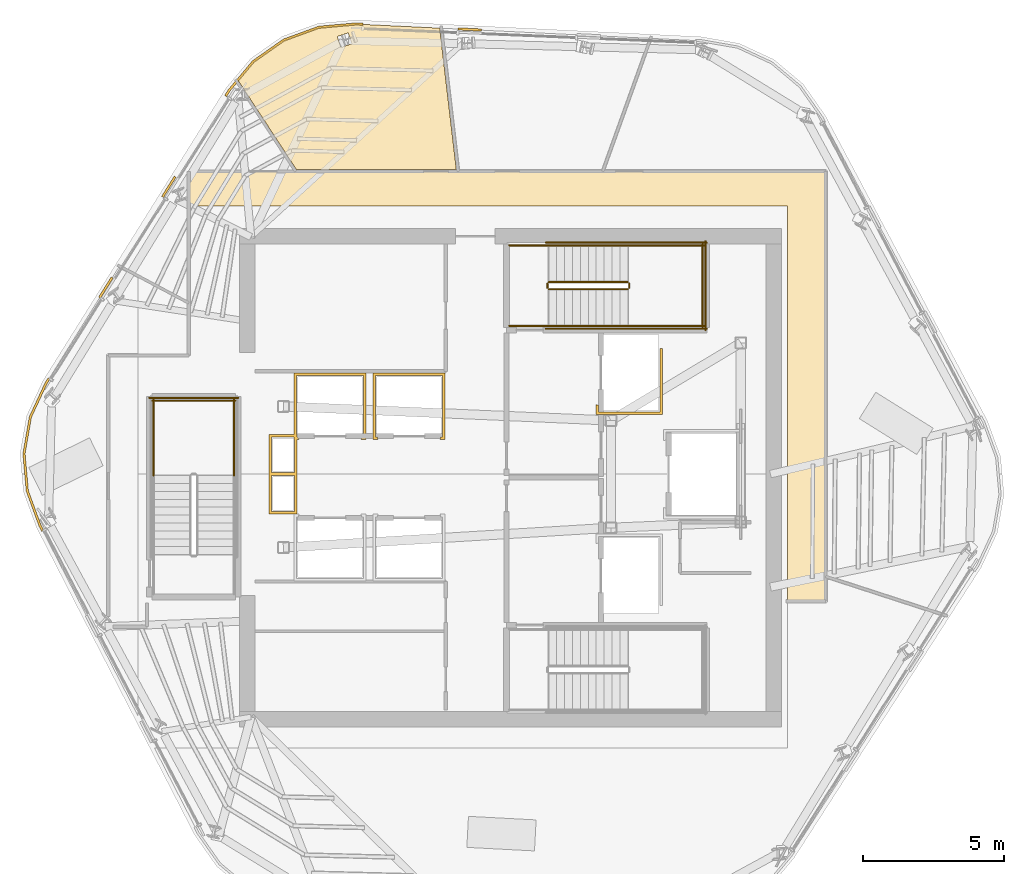
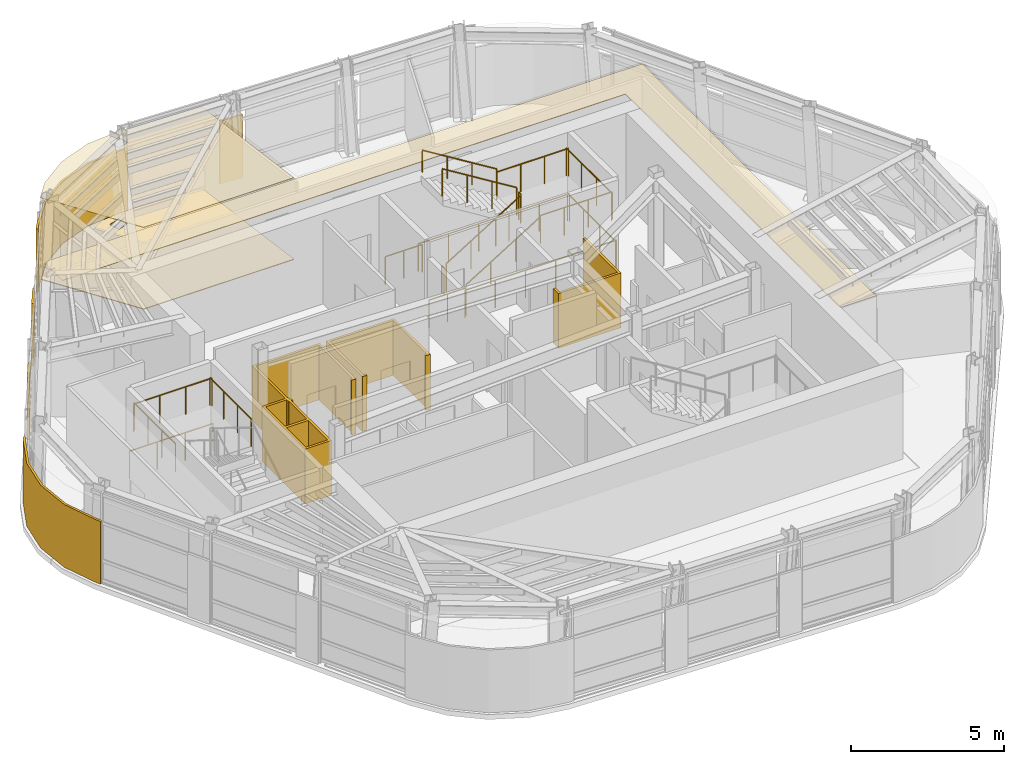
# One storey, part 11 of 13: 18 railings, 11 coverings.
"""IFC4 building model written with IfcOpenShell, lengths in metres."""

from ifc_helpers import new_model, si_unit, direction, frame, origin, origin_2d, place, context, subcontext, project, spatial, polyline, circle, outline, extrude, material, layer, layer_set, type_object, element, save


model = new_model("IFC4")

# Units and contexts
model_context = context("Model", 3, precision=1e-05, world=origin(), true_north=direction((0.0, 1.0)))
body_context = subcontext(model_context, "Body", "Model", "MODEL_VIEW")
ifc_project = project(units=[si_unit("LENGTHUNIT", "METRE"), si_unit("AREAUNIT", "SQUARE_METRE"), si_unit("VOLUMEUNIT", "CUBIC_METRE"), si_unit("PLANEANGLEUNIT", "RADIAN"), si_unit("MASSUNIT", "GRAM", prefix="KILO")], contexts=[model_context])

# Site, building, storey
site_placement = place(None, origin())
site = spatial("IfcSite", under=ifc_project, at=site_placement, CompositionType="ELEMENT")
building_placement = place(site_placement, origin())
building = spatial("IfcBuilding", under=site, at=building_placement, Name="Valkerne Bourse Tower", CompositionType="ELEMENT")
storey_placement = place(building_placement, frame((0.0, 0.0, 273.60009765625)))
storey = spatial("IfcBuildingStorey", under=building, at=storey_placement, Name="L69", CompositionType="ELEMENT", Elevation=273.60009765625)

# Coverings
ifc_material_1 = material(Name="Mineral Fiber Acoustic Ceiling Tile", Category="acoustic")
ifc_layer_1 = layer(ifc_material_1, 0.02490234375)
ifc_layer_set_1 = layer_set([ifc_layer_1], Name="Mineral Fiber Acoustic Ceiling Tile")
covering_type_1 = type_object("IfcCoveringType", Name="COV-CEIL-ACT", PredefinedType="CEILING", material=ifc_layer_set_1)
covering_1_placement = place(storey_placement, frame((0.0, 0.0, 3.25)))
element("IfcCovering", 1, at=covering_1_placement, inside=storey, type_object=covering_type_1, Name="L69 Suspended Ceiling 04", PredefinedType="CEILING", context=body_context, shape_type="SweptSolid", body=[
    extrude(outline(polyline([(40.00390625, 42.823486328125), (41.327392578125, 42.941650390625), (44.28466796875, 42.798095703125), (44.873291015625, 37.7890625), (39.21044921875, 37.7890625), (37.1376953125, 40.956298828125), (37.685302734375, 41.611083984375), (38.764892578125, 42.3701171875), (40.00390625, 42.823486328125)]), holes=[polyline([(41.173583984375, 42.2412109375), (41.045654296875, 42.6298828125), (40.66015625, 42.5029296875), (40.657958984375, 42.502197265625), (40.785888671875, 42.11328125), (41.17138671875, 42.240234375), (41.173583984375, 42.2412109375)])]), origin(), (0.0, 0.0, 1.0), 0.02490234375),
])
ifc_material_2 = material(Name="Bronze Anodised Aluminium AA 6063-T6", Category="aluminium")
ifc_layer_2 = layer(ifc_material_2, 0.030029296875)
ifc_layer_set_2 = layer_set([ifc_layer_2], Name="Bronze Anodised Aluminium AA 6063-T6")
covering_type_2 = type_object("IfcCoveringType", Name="COV-CEIL-METAL", PredefinedType="CEILING", material=ifc_layer_set_2)
covering_2_placement = place(storey_placement, frame((0.0, 0.0, 3.25)))
element("IfcCovering", 2, at=covering_2_placement, inside=storey, type_object=covering_type_2, Name="L69 Suspended Ceiling 01", PredefinedType="CEILING", context=body_context, shape_type="SweptSolid", body=[
    extrude(outline(polyline([(35.404052734375, 37.716064453125), (57.946044921875, 37.716064453125), (57.946044921875, 22.50390625), (56.60009765625, 22.50390625), (56.60009765625, 36.5), (35.404052734375, 36.5), (35.404052734375, 37.716064453125)])), origin(), (0.0, 0.0, 1.0), 0.02490234375),
])
ifc_layer_3 = layer(ifc_material_2, 0.06005859375)
ifc_layer_set_3 = layer_set([ifc_layer_3], Name="Bronze Anodised Aluminium AA 6063-T6")
covering_type_3 = type_object("IfcCoveringType", Name="COV-CRN-ALUM", PredefinedType="CLADDING", material=ifc_layer_set_3)
covering_3_placement = place(storey_placement, origin())
element("IfcCovering", 3, at=covering_3_placement, inside=storey, type_object=covering_type_3, Name="L69 Wind-Shaped Corner Aluminium Cladding 10", PredefinedType="CLADDING", context=body_context, shape_type="SweptSolid", body=[
    extrude(outline(polyline([(30.0986328125, 25.141845703125), (29.638916015625, 26.3984375), (29.5205078125, 27.724365234375), (29.749267578125, 29.035400390625), (30.312744140625, 30.249267578125), (30.4150390625, 30.412841796875), (30.482421875, 30.369873046875), (30.38330078125, 30.211181640625), (29.826416015625, 29.011474609375), (29.60107421875, 27.720947265625), (29.717529296875, 26.416015625), (30.172119140625, 25.174072265625), (30.2578125, 25.00732421875), (30.18701171875, 24.97021484375), (30.0986328125, 25.141845703125)])), origin(), (0.0, 0.0, 1.0), 2.5),
])
covering_4_placement = place(storey_placement, origin())
element("IfcCovering", 4, at=covering_4_placement, inside=storey, type_object=covering_type_3, Name="L69 Wind-Shaped Corner Aluminium Cladding 11", PredefinedType="CLADDING", context=body_context, shape_type="SweptSolid", body=[
    extrude(outline(polyline([(32.6484375, 33.98388671875), (32.7158203125, 33.941162109375), (32.2705078125, 33.22900390625), (32.202880859375, 33.271728515625), (32.6484375, 33.98388671875)])), origin(), (0.0, 0.0, 1.0), 2.5),
])
covering_5_placement = place(storey_placement, origin())
element("IfcCovering", 5, at=covering_5_placement, inside=storey, type_object=covering_type_3, Name="L69 Wind-Shaped Corner Aluminium Cladding 12", PredefinedType="CLADDING", context=body_context, shape_type="SweptSolid", body=[
    extrude(outline(polyline([(34.8818359375, 37.55517578125), (34.949462890625, 37.51220703125), (34.50390625, 36.800048828125), (34.436279296875, 36.843017578125), (34.8818359375, 37.55517578125)])), origin(), (0.0, 0.0, 1.0), 2.5),
])
covering_6_placement = place(storey_placement, origin())
element("IfcCovering", 6, at=covering_6_placement, inside=storey, type_object=covering_type_3, Name="L69 Wind-Shaped Corner Aluminium Cladding 13", PredefinedType="CLADDING", context=body_context, shape_type="SweptSolid", body=[
    extrude(outline(polyline([(36.797119140625, 40.617919921875), (37.6552734375, 41.643798828125), (38.744140625, 42.4091796875), (39.994384765625, 42.86669921875), (41.326416015625, 42.985595703125), (41.56640625, 42.97412109375), (41.56298828125, 42.89404296875), (41.328125, 42.905517578125), (40.011962890625, 42.7880859375), (38.781494140625, 42.337890625), (37.709716796875, 41.58447265625), (36.862060546875, 40.57080078125), (36.737548828125, 40.371337890625), (36.669921875, 40.414306640625), (36.797119140625, 40.617919921875)])), origin(), (0.0, 0.0, 1.0), 2.5),
])
covering_7_placement = place(storey_placement, origin())
element("IfcCovering", 7, at=covering_7_placement, inside=storey, type_object=covering_type_3, Name="L69 Wind-Shaped Corner Aluminium Cladding 14", PredefinedType="CLADDING", context=body_context, shape_type="SweptSolid", body=[
    extrude(outline(polyline([(45.7734375, 42.77001953125), (45.770263671875, 42.68994140625), (44.93115234375, 42.730712890625), (44.934326171875, 42.810546875), (45.7734375, 42.77001953125)])), origin(), (0.0, 0.0, 1.0), 2.5),
])
ifc_material_3 = material(Name="Polished Granite Stone", Category="masonry")
ifc_layer_4 = layer(ifc_material_3, 0.030029296875)
ifc_layer_set_4 = layer_set([ifc_layer_4], Name="Polished Granite Stone")
covering_type_4 = type_object("IfcCoveringType", Name="COV-FLR-TERRAZZO", PredefinedType="FLOORING", material=ifc_layer_set_4)
covering_8_placement = place(storey_placement, origin())
element("IfcCovering", 8, at=covering_8_placement, inside=storey, type_object=covering_type_4, Name="L69 Floor Finish 04", PredefinedType="FLOORING", context=body_context, shape_type="SweptSolid", body=[
    extrude(outline(polyline([(40.00390625, 42.823486328125), (41.327392578125, 42.941650390625), (44.28466796875, 42.798095703125), (44.873291015625, 37.7890625), (39.21044921875, 37.7890625), (37.1376953125, 40.956298828125), (37.685302734375, 41.611083984375), (38.764892578125, 42.3701171875), (40.00390625, 42.823486328125)]), holes=[polyline([(41.173583984375, 42.2412109375), (41.045654296875, 42.6298828125), (40.66015625, 42.5029296875), (40.657958984375, 42.502197265625), (40.785888671875, 42.11328125), (41.17138671875, 42.240234375), (41.173583984375, 42.2412109375)])]), origin(), (0.0, 0.0, 1.0), 0.02978515625),
])
ifc_material_4 = material(Name="Gypsum Shaftwall Liner Board", Category="gypsum")
ifc_layer_5 = layer(ifc_material_4, 0.080078125)
ifc_layer_set_5 = layer_set([ifc_layer_5], Name="Gypsum Shaftwall Liner Board")
covering_type_5 = type_object("IfcCoveringType", Name="COV-SHF-CLAD", PredefinedType="CLADDING", material=ifc_layer_set_5)
covering_9_placement = place(storey_placement, origin())
element("IfcCovering", 9, at=covering_9_placement, inside=storey, type_object=covering_type_5, Name="L69 Hoistway & Riser Shaftwall Liner 04", PredefinedType="CLADDING", context=body_context, shape_type="SweptSolid", body=[
    extrude(outline(polyline([(38.239990234375, 27.0400390625), (38.239990234375, 28.409912109375), (39.1201171875, 28.409912109375), (39.1201171875, 30.580078125), (41.679931640625, 30.580078125), (41.679931640625, 28.219970703125), (41.500732421875, 28.219970703125), (41.511474609375, 28.26220703125), (41.517822265625, 28.305908203125), (41.51806640625, 28.31005859375), (41.590087890625, 28.31005859375), (41.590087890625, 30.489990234375), (39.2099609375, 30.489990234375), (39.2099609375, 28.409912109375), (39.239990234375, 28.409912109375), (39.239990234375, 28.31005859375), (39.281982421875, 28.31005859375), (39.2822265625, 28.305908203125), (39.28857421875, 28.26220703125), (39.29931640625, 28.219970703125), (39.239990234375, 28.219970703125), (39.239990234375, 27.0400390625), (39.239990234375, 26.9599609375), (39.239990234375, 25.590087890625), (38.239990234375, 25.590087890625), (38.239990234375, 26.9599609375), (38.239990234375, 27.0400390625)]), holes=[polyline([(39.14990234375, 26.949951171875), (38.330078125, 26.949951171875), (38.330078125, 25.679931640625), (39.14990234375, 25.679931640625), (39.14990234375, 26.949951171875)]), polyline([(39.14990234375, 28.219970703125), (39.1201171875, 28.219970703125), (39.1201171875, 28.320068359375), (38.330078125, 28.320068359375), (38.330078125, 27.050048828125), (39.14990234375, 27.050048828125), (39.14990234375, 28.219970703125)])]), origin(), (0.0, 0.0, 1.0), 2.179931640625),
])
covering_10_placement = place(storey_placement, origin())
element("IfcCovering", 10, at=covering_10_placement, inside=storey, type_object=covering_type_5, Name="L69 Hoistway & Riser Shaftwall Liner 06", PredefinedType="CLADDING", context=body_context, shape_type="SweptSolid", body=[
    extrude(outline(polyline([(44.47998046875, 28.219970703125), (44.30078125, 28.219970703125), (44.311279296875, 28.26220703125), (44.31787109375, 28.305908203125), (44.318115234375, 28.31005859375), (44.389892578125, 28.31005859375), (44.389892578125, 30.489990234375), (42.010009765625, 30.489990234375), (42.010009765625, 28.31005859375), (42.08203125, 28.31005859375), (42.082275390625, 28.305908203125), (42.088623046875, 28.26220703125), (42.09912109375, 28.219970703125), (41.919921875, 28.219970703125), (41.919921875, 30.580078125), (44.47998046875, 30.580078125), (44.47998046875, 28.219970703125)])), origin(), (0.0, 0.0, 1.0), 2.179931640625),
])
covering_11_placement = place(storey_placement, origin())
element("IfcCovering", 11, at=covering_11_placement, inside=storey, type_object=covering_type_5, Name="L69 Hoistway & Riser Shaftwall Liner 07", PredefinedType="CLADDING", context=body_context, shape_type="SweptSolid", body=[
    extrude(outline(polyline([(49.820068359375, 29.1201171875), (49.820068359375, 29.468017578125), (49.827880859375, 29.46435546875), (49.869384765625, 29.449462890625), (49.909912109375, 29.439208984375), (49.909912109375, 29.2099609375), (52.090087890625, 29.2099609375), (52.090087890625, 31.449951171875), (52.179931640625, 31.449951171875), (52.179931640625, 29.1201171875), (49.820068359375, 29.1201171875)])), origin(), (0.0, 0.0, 1.0), 2.179931640625),
])

# Railings
ifc_material_5 = material(Name="Galvanised Painted Steel", Category="steel")
railing_type_1 = type_object("IfcRailingType", Name="RLG-ST-GUARD-1120", PredefinedType="GUARDRAIL", material=ifc_material_5)
railing_1_placement = place(storey_placement, frame((48.14990234375, 33.550048828125, 0.172607421875)))
element("IfcRailing", 12, at=railing_1_placement, inside=storey, type_object=railing_type_1, Name="L69 ST-2 stair guard 1", PredefinedType="GUARDRAIL", context=body_context, shape_type="SweptSolid", body=[
    extrude(circle(Radius=0.02392578125, at=origin_2d()), frame((0.0, 0.0, 1.09619140625), z_axis=(0.851089632645, 0.0, 0.525020415988), x_axis=(0.0, 1.0, 0.0)), (0.0, 0.0, 1.0), 3.2900390625),
    extrude(circle(Radius=0.02099609375, at=origin_2d()), origin(), (0.0, 0.0, 1.0), 1.072021484375),
    extrude(circle(Radius=0.02099609375, at=origin_2d()), frame((0.933349609375, 0.0, 0.57568359375)), (0.0, 0.0, 1.0), 1.072021484375),
    extrude(circle(Radius=0.02099609375, at=origin_2d()), frame((1.86669921875, 0.0, 1.151611328125)), (0.0, 0.0, 1.0), 1.072021484375),
    extrude(circle(Radius=0.02099609375, at=origin_2d()), frame((2.800048828125, 0.0, 1.727294921875)), (0.0, 0.0, 1.0), 1.072021484375),
])
railing_2_placement = place(storey_placement, frame((51.0, 33.60009765625, 1.89990234375)))
element("IfcRailing", 13, at=railing_2_placement, inside=storey, type_object=railing_type_1, Name="L69 ST-2 stair guard 2", PredefinedType="GUARDRAIL", context=body_context, shape_type="SweptSolid", body=[
    extrude(circle(Radius=0.02392578125, at=origin_2d()), frame((0.0, 0.0, 1.09619140625), z_axis=(0.0, 1.0, 0.0), x_axis=(-1.0, 0.0, 0.0)), (0.0, 0.0, 1.0), 0.14990234375),
    extrude(circle(Radius=0.02099609375, at=origin_2d()), origin(), (0.0, 0.0, 1.0), 1.072021484375),
    extrude(circle(Radius=0.02099609375, at=origin_2d()), frame((0.0, 0.14990234375, 0.0)), (0.0, 0.0, 1.0), 1.072021484375),
])
for number, where, name in (
    (14, (50.949951171875, 32.25, 1.89990234375), "L69 ST-2 stair guard 3"),
    (15, (50.949951171875, 35.10009765625, 1.89990234375), "L69 ST-2 stair guard 4"),
):
    element("IfcRailing", number, at=place(storey_placement, frame(where)), inside=storey, type_object=railing_type_1, Name=name, PredefinedType="GUARDRAIL", context=body_context, shape_type="SweptSolid", body=[
        extrude(circle(Radius=0.02392578125, at=origin_2d()), frame((0.0, 0.0, 1.09619140625), z_axis=(1.0, 0.0, 0.0), x_axis=(0.0, 1.0, 0.0)), (0.0, 0.0, 1.0), 2.699951171875),
        extrude(circle(Radius=0.02099609375, at=origin_2d()), origin(), (0.0, 0.0, 1.0), 1.072021484375),
        extrude(circle(Radius=0.02099609375, at=origin_2d()), frame((0.89990234375, 0.0, 0.0)), (0.0, 0.0, 1.0), 1.072021484375),
        extrude(circle(Radius=0.02099609375, at=origin_2d()), frame((1.800048828125, 0.0, 0.0)), (0.0, 0.0, 1.0), 1.072021484375),
        extrude(circle(Radius=0.02099609375, at=origin_2d()), frame((2.699951171875, 0.0, 0.0)), (0.0, 0.0, 1.0), 1.072021484375),
    ])
railing_3_placement = place(storey_placement, frame((53.60009765625, 32.199951171875, 1.89990234375)))
element("IfcRailing", 16, at=railing_3_placement, inside=storey, type_object=railing_type_1, Name="L69 ST-2 stair guard 5", PredefinedType="GUARDRAIL", context=body_context, shape_type="SweptSolid", body=[
    extrude(circle(Radius=0.02392578125, at=origin_2d()), frame((0.0, 0.0, 1.09619140625), z_axis=(0.0, 1.0, 0.0), x_axis=(-1.0, 0.0, 0.0)), (0.0, 0.0, 1.0), 2.949951171875),
    extrude(circle(Radius=0.02099609375, at=origin_2d()), origin(), (0.0, 0.0, 1.0), 1.072021484375),
    extrude(circle(Radius=0.02099609375, at=origin_2d()), frame((0.0, 0.9833984375, 0.0)), (0.0, 0.0, 1.0), 1.072021484375),
    extrude(circle(Radius=0.02099609375, at=origin_2d()), frame((0.0, 1.966552734375, 0.0)), (0.0, 0.0, 1.0), 1.072021484375),
    extrude(circle(Radius=0.02099609375, at=origin_2d()), frame((0.0, 2.949951171875, 0.0)), (0.0, 0.0, 1.0), 1.072021484375),
])
railing_4_placement = place(storey_placement, frame((50.949951171875, 33.800048828125, 2.072509765625)))
element("IfcRailing", 17, at=railing_4_placement, inside=storey, type_object=railing_type_1, Name="L69 ST-2 stair guard 6", PredefinedType="GUARDRAIL", context=body_context, shape_type="SweptSolid", body=[
    extrude(circle(Radius=0.02392578125, at=origin_2d()), frame((0.0, 0.0, 1.09619140625), z_axis=(-0.851089632645, 0.0, 0.525020415988), x_axis=(0.0, -1.0, 0.0)), (0.0, 0.0, 1.0), 3.2900390625),
    extrude(circle(Radius=0.02099609375, at=origin_2d()), origin(), (0.0, 0.0, 1.0), 1.072021484375),
    extrude(circle(Radius=0.02099609375, at=origin_2d()), frame((-0.933349609375, 0.0, 0.57568359375)), (0.0, 0.0, 1.0), 1.072021484375),
    extrude(circle(Radius=0.02099609375, at=origin_2d()), frame((-1.86669921875, 0.0, 1.151611328125)), (0.0, 0.0, 1.0), 1.072021484375),
    extrude(circle(Radius=0.02099609375, at=origin_2d()), frame((-2.800048828125, 0.0, 1.727294921875)), (0.0, 0.0, 1.0), 1.072021484375),
])
railing_5_placement = place(storey_placement, frame((48.10009765625, 33.60009765625, 0.0)))
element("IfcRailing", 18, at=railing_5_placement, inside=storey, type_object=railing_type_1, Name="L69 ST-2 stair guard 7", PredefinedType="GUARDRAIL", context=body_context, shape_type="SweptSolid", body=[
    extrude(circle(Radius=0.02392578125, at=origin_2d()), frame((0.0, 0.0, 1.09619140625), z_axis=(0.0, 1.0, 0.0), x_axis=(-1.0, 0.0, 0.0)), (0.0, 0.0, 1.0), 0.14990234375),
    extrude(circle(Radius=0.02099609375, at=origin_2d()), origin(), (0.0, 0.0, 1.0), 1.072021484375),
    extrude(circle(Radius=0.02099609375, at=origin_2d()), frame((0.0, 0.14990234375, 0.0)), (0.0, 0.0, 1.0), 1.072021484375),
])
for number, where, name in (
    (19, (46.75, 32.25, 0.0), "L69 ST-2 stair guard 8"),
    (20, (46.75, 35.10009765625, 0.0), "L69 ST-2 stair guard 9"),
):
    element("IfcRailing", number, at=place(storey_placement, frame(where)), inside=storey, type_object=railing_type_1, Name=name, PredefinedType="GUARDRAIL", context=body_context, shape_type="SweptSolid", body=[
        extrude(circle(Radius=0.02392578125, at=origin_2d()), frame((0.0, 0.0, 1.09619140625), z_axis=(1.0, 0.0, 0.0), x_axis=(0.0, 1.0, 0.0)), (0.0, 0.0, 1.0), 1.39990234375),
        extrude(circle(Radius=0.02099609375, at=origin_2d()), origin(), (0.0, 0.0, 1.0), 1.072021484375),
        extrude(circle(Radius=0.02099609375, at=origin_2d()), frame((0.699951171875, 0.0, 0.0)), (0.0, 0.0, 1.0), 1.072021484375),
        extrude(circle(Radius=0.02099609375, at=origin_2d()), frame((1.39990234375, 0.0, 0.0)), (0.0, 0.0, 1.0), 1.072021484375),
    ])
for number, where, name in (
    (21, (48.050048828125, 32.14990234375, 0.0), "L69 ST-2 stair guard 10"),
    (22, (48.050048828125, 35.199951171875, 0.0), "L69 ST-2 stair guard 11"),
):
    element("IfcRailing", number, at=place(storey_placement, frame(where)), inside=storey, type_object=railing_type_1, Name=name, PredefinedType="GUARDRAIL", context=body_context, shape_type="SweptSolid", body=[
        extrude(circle(Radius=0.02392578125, at=origin_2d()), frame((0.0, 0.0, 1.09619140625), z_axis=(1.0, 0.0, 0.0), x_axis=(0.0, 1.0, 0.0)), (0.0, 0.0, 1.0), 5.699951171875),
        extrude(circle(Radius=0.02099609375, at=origin_2d()), origin(), (0.0, 0.0, 1.0), 1.072021484375),
        extrude(circle(Radius=0.02099609375, at=origin_2d()), frame((1.139892578125, 0.0, 0.0)), (0.0, 0.0, 1.0), 1.072021484375),
        extrude(circle(Radius=0.02099609375, at=origin_2d()), frame((2.280029296875, 0.0, 0.0)), (0.0, 0.0, 1.0), 1.072021484375),
        extrude(circle(Radius=0.02099609375, at=origin_2d()), frame((3.419921875, 0.0, 0.0)), (0.0, 0.0, 1.0), 1.072021484375),
        extrude(circle(Radius=0.02099609375, at=origin_2d()), frame((4.56005859375, 0.0, 0.0)), (0.0, 0.0, 1.0), 1.072021484375),
        extrude(circle(Radius=0.02099609375, at=origin_2d()), frame((5.699951171875, 0.0, 0.0)), (0.0, 0.0, 1.0), 1.072021484375),
    ])
railing_6_placement = place(storey_placement, frame((53.699951171875, 32.10009765625, 0.0)))
element("IfcRailing", 23, at=railing_6_placement, inside=storey, type_object=railing_type_1, Name="L69 ST-2 stair guard 12", PredefinedType="GUARDRAIL", context=body_context, shape_type="SweptSolid", body=[
    extrude(circle(Radius=0.02392578125, at=origin_2d()), frame((0.0, 0.0, 1.09619140625), z_axis=(0.0, 1.0, 0.0), x_axis=(-1.0, 0.0, 0.0)), (0.0, 0.0, 1.0), 3.14990234375),
    extrude(circle(Radius=0.02099609375, at=origin_2d()), origin(), (0.0, 0.0, 1.0), 1.072021484375),
    extrude(circle(Radius=0.02099609375, at=origin_2d()), frame((0.0, 1.050048828125, 0.0)), (0.0, 0.0, 1.0), 1.072021484375),
    extrude(circle(Radius=0.02099609375, at=origin_2d()), frame((0.0, 2.099853515625, 0.0)), (0.0, 0.0, 1.0), 1.072021484375),
    extrude(circle(Radius=0.02099609375, at=origin_2d()), frame((0.0, 3.14990234375, 0.0)), (0.0, 0.0, 1.0), 1.072021484375),
])
for number, where, name in (
    (24, (37.0, 26.949951171875, 1.89990234375), "L69 ST-3 stair guard 3"),
    (25, (34.14990234375, 26.949951171875, 1.89990234375), "L69 ST-3 stair guard 4"),
):
    element("IfcRailing", number, at=place(storey_placement, frame(where)), inside=storey, type_object=railing_type_1, Name=name, PredefinedType="GUARDRAIL", context=body_context, shape_type="SweptSolid", body=[
        extrude(circle(Radius=0.02392578125, at=origin_2d()), frame((0.0, 0.0, 1.09619140625), z_axis=(0.0, 1.0, 0.0), x_axis=(-1.0, 0.0, 0.0)), (0.0, 0.0, 1.0), 2.699951171875),
        extrude(circle(Radius=0.02099609375, at=origin_2d()), origin(), (0.0, 0.0, 1.0), 1.072021484375),
        extrude(circle(Radius=0.02099609375, at=origin_2d()), frame((0.0, 0.89990234375, 0.0)), (0.0, 0.0, 1.0), 1.072021484375),
        extrude(circle(Radius=0.02099609375, at=origin_2d()), frame((0.0, 1.800048828125, 0.0)), (0.0, 0.0, 1.0), 1.072021484375),
        extrude(circle(Radius=0.02099609375, at=origin_2d()), frame((0.0, 2.699951171875, 0.0)), (0.0, 0.0, 1.0), 1.072021484375),
    ])
railing_7_placement = place(storey_placement, frame((37.050048828125, 29.60009765625, 1.89990234375)))
element("IfcRailing", 26, at=railing_7_placement, inside=storey, type_object=railing_type_1, Name="L69 ST-3 stair guard 5", PredefinedType="GUARDRAIL", context=body_context, shape_type="SweptSolid", body=[
    extrude(circle(Radius=0.02392578125, at=origin_2d()), frame((0.0, 0.0, 1.09619140625), z_axis=(-1.0, 0.0, 0.0), x_axis=(0.0, -1.0, 0.0)), (0.0, 0.0, 1.0), 2.949951171875),
    extrude(circle(Radius=0.02099609375, at=origin_2d()), origin(), (0.0, 0.0, 1.0), 1.072021484375),
    extrude(circle(Radius=0.02099609375, at=origin_2d()), frame((-0.9833984375, 0.0, 0.0)), (0.0, 0.0, 1.0), 1.072021484375),
    extrude(circle(Radius=0.02099609375, at=origin_2d()), frame((-1.966552734375, 0.0, 0.0)), (0.0, 0.0, 1.0), 1.072021484375),
    extrude(circle(Radius=0.02099609375, at=origin_2d()), frame((-2.949951171875, 0.0, 0.0)), (0.0, 0.0, 1.0), 1.072021484375),
])
railing_8_placement = place(storey_placement, frame((37.14990234375, 29.699951171875, 0.0)))
element("IfcRailing", 27, at=railing_8_placement, inside=storey, type_object=railing_type_1, Name="L69 ST-3 stair guard 12", PredefinedType="GUARDRAIL", context=body_context, shape_type="SweptSolid", body=[
    extrude(circle(Radius=0.02392578125, at=origin_2d()), frame((0.0, 0.0, 1.09619140625), z_axis=(-1.0, 0.0, 0.0), x_axis=(0.0, -1.0, 0.0)), (0.0, 0.0, 1.0), 3.14990234375),
    extrude(circle(Radius=0.02099609375, at=origin_2d()), origin(), (0.0, 0.0, 1.0), 1.072021484375),
    extrude(circle(Radius=0.02099609375, at=origin_2d()), frame((-1.050048828125, 0.0, 0.0)), (0.0, 0.0, 1.0), 1.072021484375),
    extrude(circle(Radius=0.02099609375, at=origin_2d()), frame((-2.099853515625, 0.0, 0.0)), (0.0, 0.0, 1.0), 1.072021484375),
    extrude(circle(Radius=0.02099609375, at=origin_2d()), frame((-3.14990234375, 0.0, 0.0)), (0.0, 0.0, 1.0), 1.072021484375),
])
ifc_material_6 = material(Name="Stainless Steel AISI 316", Category="steel")
railing_type_2 = type_object("IfcRailingType", Name="RLG-ST-HANDRAIL-900", PredefinedType="HANDRAIL", material=ifc_material_6)
railing_9_placement = place(storey_placement, frame((48.14990234375, 32.25, 0.345458984375)))
element("IfcRailing", 28, at=railing_9_placement, inside=storey, type_object=railing_type_2, Name="L69 ST-2 stair handrail 1", PredefinedType="HANDRAIL", context=body_context, shape_type="SweptSolid", body=[
    extrude(circle(Radius=0.02392578125, at=origin_2d()), frame((0.0, 0.0, 0.8759765625), z_axis=(0.851122791225, 0.0, 0.524966660138), x_axis=(0.0, 1.0, 0.0)), (0.0, 0.0, 1.0), 3.289794921875),
    extrude(circle(Radius=0.02099609375, at=origin_2d()), origin(), (0.0, 0.0, 1.0), 0.851806640625),
    extrude(circle(Radius=0.02099609375, at=origin_2d()), frame((0.933349609375, 0.0, 0.57568359375)), (0.0, 0.0, 1.0), 0.851806640625),
    extrude(circle(Radius=0.02099609375, at=origin_2d()), frame((1.86669921875, 0.0, 1.1513671875)), (0.0, 0.0, 1.0), 0.851806640625),
    extrude(circle(Radius=0.02099609375, at=origin_2d()), frame((2.800048828125, 0.0, 1.72705078125)), (0.0, 0.0, 1.0), 0.851806640625),
])
railing_10_placement = place(storey_placement, frame((50.949951171875, 35.10009765625, 2.245361328125)))
element("IfcRailing", 29, at=railing_10_placement, inside=storey, type_object=railing_type_2, Name="L69 ST-2 stair handrail 2", PredefinedType="HANDRAIL", context=body_context, shape_type="SweptSolid", body=[
    extrude(circle(Radius=0.02392578125, at=origin_2d()), frame((0.0, 0.0, 0.8759765625), z_axis=(-0.851089632645, 0.0, 0.525020415988), x_axis=(0.0, -1.0, 0.0)), (0.0, 0.0, 1.0), 3.2900390625),
    extrude(circle(Radius=0.02099609375, at=origin_2d()), origin(), (0.0, 0.0, 1.0), 0.851806640625),
    extrude(circle(Radius=0.02099609375, at=origin_2d()), frame((-0.933349609375, 0.0, 0.57568359375)), (0.0, 0.0, 1.0), 0.851806640625),
    extrude(circle(Radius=0.02099609375, at=origin_2d()), frame((-1.86669921875, 0.0, 1.151611328125)), (0.0, 0.0, 1.0), 0.851806640625),
    extrude(circle(Radius=0.02099609375, at=origin_2d()), frame((-2.800048828125, 0.0, 1.727294921875)), (0.0, 0.0, 1.0), 0.851806640625),
])

save(model, "model.ifc")
